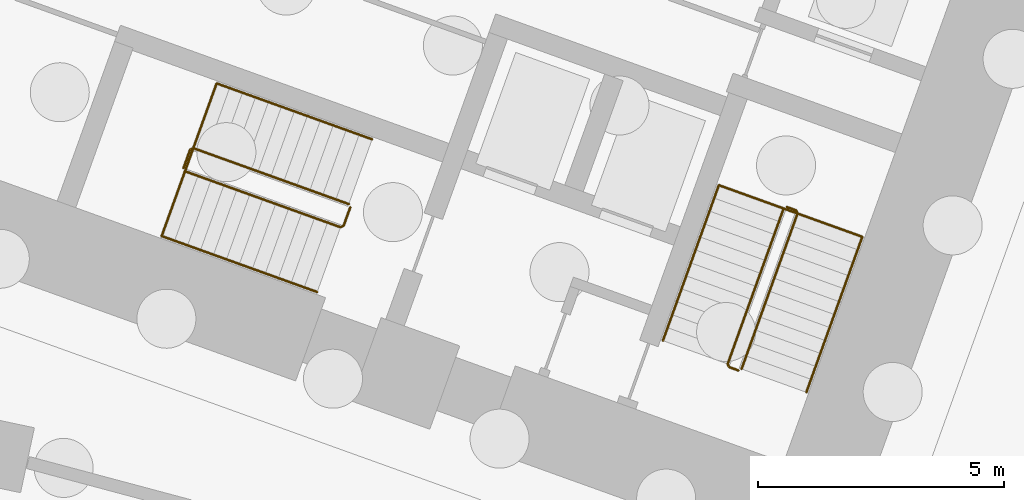
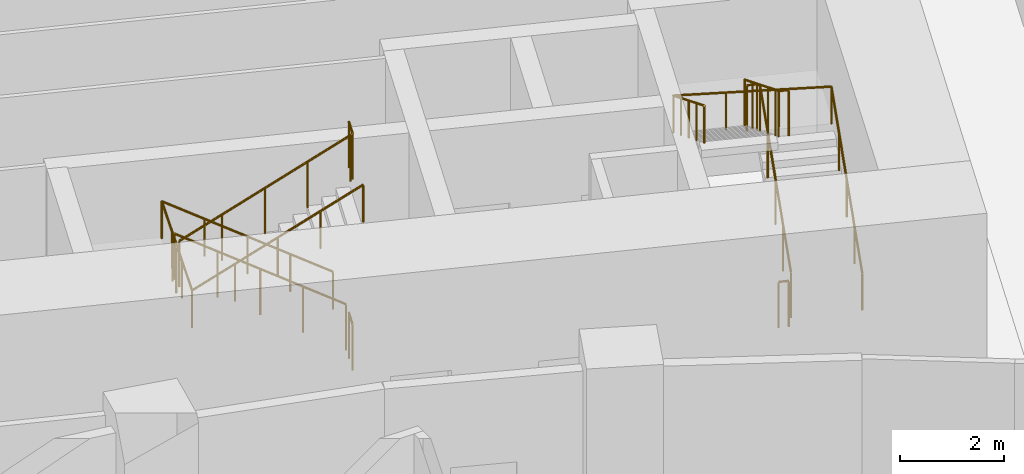
# One storey, part 24 of 25: 8 railings.
"""IFC4 building model written with IfcOpenShell, lengths in metres."""

from ifc_helpers import new_model, si_unit, direction, frame, origin, origin_2d, place, context, subcontext, project, spatial, circle, extrude, material, type_object, element, save


model = new_model("IFC4")

# Units and contexts
model_context = context("Model", 3, precision=1e-05, world=origin(), true_north=direction((0.0, 1.0)))
body_context = subcontext(model_context, "Body", "Model", "MODEL_VIEW")
ifc_project = project(units=[si_unit("LENGTHUNIT", "METRE"), si_unit("AREAUNIT", "SQUARE_METRE"), si_unit("VOLUMEUNIT", "CUBIC_METRE"), si_unit("PLANEANGLEUNIT", "RADIAN"), si_unit("MASSUNIT", "GRAM", prefix="KILO")], contexts=[model_context])

# Site, building, storey
site_placement = place(None, origin())
site = spatial("IfcSite", under=ifc_project, at=site_placement, CompositionType="ELEMENT")
building_placement = place(site_placement, origin())
building = spatial("IfcBuilding", under=site, at=building_placement, Name="Stone Belt Terrace Tower", CompositionType="ELEMENT")
storey_placement = place(building_placement, frame((0.0, 0.0, -13.5)))
storey = spatial("IfcBuildingStorey", under=building, at=storey_placement, Name="B3", CompositionType="ELEMENT", Elevation=-13.5)

# Railings
ifc_material = material(Name="Structural steel C345", Category="steel")
railing_type_1 = type_object("IfcRailingType", Name="Stair guard 1100", PredefinedType="GUARDRAIL", material=ifc_material)
railing_1_placement = place(storey_placement, frame((24.494140625, 45.174560546875, 0.173095703125)))
element("IfcRailing", 1, at=railing_1_placement, inside=storey, type_object=railing_type_1, Name="B3 ST1B stair guard 1", PredefinedType="GUARDRAIL", context=body_context, shape_type="SweptSolid", body=[
    extrude(circle(Radius=0.02392578125, at=origin_2d()), frame((0.0, 0.0, 1.076171875), z_axis=(0.288083704321, 0.800342391602, 0.525794480296), x_axis=(-0.940902231577, 0.338678299589, 0.0)), (0.0, 0.0, 1.0), 3.949951171875),
    extrude(circle(Radius=0.02392578125, at=origin_2d()), frame((1.137939453125, 3.161376953125, 3.15283203125), z_axis=(-0.427789722475, 0.903878284585, 0.0), x_axis=(-0.903878284585, -0.427789722475, 0.0)), (0.0, 0.0, 1.0), 0.07080078125),
    extrude(circle(Radius=0.02392578125, at=origin_2d()), frame((1.107666015625, 3.225341796875, 3.15283203125), z_axis=(-0.940575576748, 0.339584429008, 0.0), x_axis=(-0.339584429008, -0.940575576748, 0.0)), (0.0, 0.0, 1.0), 0.199951171875),
    extrude(circle(Radius=0.02099609375, at=origin_2d()), origin(), (0.0, 0.0, 1.0), 1.052001953125),
    extrude(circle(Radius=0.02099609375, at=origin_2d()), frame((0.284423828125, 0.790283203125, 0.519287109375)), (0.0, 0.0, 1.0), 1.052001953125),
    extrude(circle(Radius=0.02099609375, at=origin_2d()), frame((0.56884765625, 1.58056640625, 1.03857421875)), (0.0, 0.0, 1.0), 1.052001953125),
    extrude(circle(Radius=0.02099609375, at=origin_2d()), frame((0.853515625, 2.37109375, 1.5576171875)), (0.0, 0.0, 1.0), 1.052001953125),
    extrude(circle(Radius=0.02099609375, at=origin_2d()), frame((1.137939453125, 3.161376953125, 2.076904296875)), (0.0, 0.0, 1.0), 1.052001953125),
    extrude(circle(Radius=0.02099609375, at=origin_2d()), frame((1.107666015625, 3.225341796875, 2.076904296875)), (0.0, 0.0, 1.0), 1.052001953125),
    extrude(circle(Radius=0.02099609375, at=origin_2d()), frame((0.919677734375, 3.293212890625, 2.076904296875)), (0.0, 0.0, 1.0), 1.052001953125),
])
railing_2_placement = place(storey_placement, frame((25.349853515625, 48.4375, 2.423095703125)))
element("IfcRailing", 2, at=railing_2_placement, inside=storey, type_object=railing_type_1, Name="B3 ST1B stair guard 2", PredefinedType="GUARDRAIL", context=body_context, shape_type="SweptSolid", body=[
    extrude(circle(Radius=0.02392578125, at=origin_2d()), frame((0.0, 0.0, 1.076171875), z_axis=(-0.288083704321, -0.800342391602, 0.525794480296), x_axis=(0.940902231577, -0.338678299589, 0.0)), (0.0, 0.0, 1.0), 3.949951171875),
    extrude(circle(Radius=0.02392578125, at=origin_2d()), frame((-1.137939453125, -3.161376953125, 3.15283203125), z_axis=(0.427789722475, -0.903878284585, 0.0), x_axis=(0.903878284585, 0.427789722475, 0.0)), (0.0, 0.0, 1.0), 0.07080078125),
    extrude(circle(Radius=0.02392578125, at=origin_2d()), frame((-1.107666015625, -3.225341796875, 3.15283203125), z_axis=(0.940575576748, -0.339584429008, 0.0), x_axis=(0.339584429008, 0.940575576748, 0.0)), (0.0, 0.0, 1.0), 0.199951171875),
    extrude(circle(Radius=0.02099609375, at=origin_2d()), origin(), (0.0, 0.0, 1.0), 1.052001953125),
    extrude(circle(Radius=0.02099609375, at=origin_2d()), frame((-0.284423828125, -0.790283203125, 0.519287109375)), (0.0, 0.0, 1.0), 1.052001953125),
    extrude(circle(Radius=0.02099609375, at=origin_2d()), frame((-0.56884765625, -1.58056640625, 1.03857421875)), (0.0, 0.0, 1.0), 1.052001953125),
    extrude(circle(Radius=0.02099609375, at=origin_2d()), frame((-0.853515625, -2.37109375, 1.5576171875)), (0.0, 0.0, 1.0), 1.052001953125),
    extrude(circle(Radius=0.02099609375, at=origin_2d()), frame((-1.137939453125, -3.161376953125, 2.076904296875)), (0.0, 0.0, 1.0), 1.052001953125),
    extrude(circle(Radius=0.02099609375, at=origin_2d()), frame((-1.107666015625, -3.225341796875, 2.076904296875)), (0.0, 0.0, 1.0), 1.052001953125),
    extrude(circle(Radius=0.02099609375, at=origin_2d()), frame((-0.919677734375, -3.293212890625, 2.076904296875)), (0.0, 0.0, 1.0), 1.052001953125),
])
railing_3_placement = place(storey_placement, frame((24.43017578125, 45.144287109375, 0.0)))
element("IfcRailing", 3, at=railing_3_placement, inside=storey, type_object=railing_type_1, Name="B3 ST1B stair guard 3", PredefinedType="GUARDRAIL", context=body_context, shape_type="SweptSolid", body=[
    extrude(circle(Radius=0.02392578125, at=origin_2d()), frame((0.0, 0.0, 1.076171875), z_axis=(-0.940575576748, 0.339584429008, 0.0), x_axis=(-0.339584429008, -0.940575576748, 0.0)), (0.0, 0.0, 1.0), 0.199951171875),
    extrude(circle(Radius=0.02099609375, at=origin_2d()), origin(), (0.0, 0.0, 1.0), 1.052001953125),
    extrude(circle(Radius=0.02099609375, at=origin_2d()), frame((-0.18798828125, 0.06787109375, 0.0)), (0.0, 0.0, 1.0), 1.052001953125),
])
railing_4_placement = place(storey_placement, frame((16.507568359375, 48.527099609375, 0.173095703125)))
element("IfcRailing", 4, at=railing_4_placement, inside=storey, type_object=railing_type_1, Name="B3 ST2B stair guard 1", PredefinedType="GUARDRAIL", context=body_context, shape_type="SweptSolid", body=[
    extrude(circle(Radius=0.02392578125, at=origin_2d()), frame((0.0, 0.0, 1.076171875), z_axis=(-0.800356641085, 0.288027025056, 0.525803841664), x_axis=(-0.338613969627, -0.9409253847, 0.0)), (0.0, 0.0, 1.0), 3.949951171875),
    extrude(circle(Radius=0.02392578125, at=origin_2d()), frame((-3.161376953125, 1.1376953125, 3.15283203125), z_axis=(-0.905209821074, -0.424964916, 0.0), x_axis=(0.424964916, -0.905209821074, 0.0)), (0.0, 0.0, 1.0), 0.070556640625),
    extrude(circle(Radius=0.02392578125, at=origin_2d()), frame((-3.225341796875, 1.107666015625, 3.15283203125), z_axis=(-0.338654645739, -0.940910745459, 0.0), x_axis=(0.940910745459, -0.338654645739, 0.0)), (0.0, 0.0, 1.0), 0.400146484375),
    extrude(circle(Radius=0.02099609375, at=origin_2d()), origin(), (0.0, 0.0, 1.0), 1.052001953125),
    extrude(circle(Radius=0.02099609375, at=origin_2d()), frame((-0.790283203125, 0.284423828125, 0.519287109375)), (0.0, 0.0, 1.0), 1.052001953125),
    extrude(circle(Radius=0.02099609375, at=origin_2d()), frame((-1.58056640625, 0.56884765625, 1.03857421875)), (0.0, 0.0, 1.0), 1.052001953125),
    extrude(circle(Radius=0.02099609375, at=origin_2d()), frame((-2.37109375, 0.853271484375, 1.5576171875)), (0.0, 0.0, 1.0), 1.052001953125),
    extrude(circle(Radius=0.02099609375, at=origin_2d()), frame((-3.161376953125, 1.1376953125, 2.076904296875)), (0.0, 0.0, 1.0), 1.052001953125),
    extrude(circle(Radius=0.02099609375, at=origin_2d()), frame((-3.225341796875, 1.107666015625, 2.076904296875)), (0.0, 0.0, 1.0), 1.052001953125),
    extrude(circle(Radius=0.02099609375, at=origin_2d()), frame((-3.36083984375, 0.731201171875, 2.076904296875)), (0.0, 0.0, 1.0), 1.052001953125),
])
railing_5_placement = place(storey_placement, frame((13.1767578125, 49.1943359375, 2.423095703125)))
element("IfcRailing", 5, at=railing_5_placement, inside=storey, type_object=railing_type_1, Name="B3 ST2B stair guard 2", PredefinedType="GUARDRAIL", context=body_context, shape_type="SweptSolid", body=[
    extrude(circle(Radius=0.02392578125, at=origin_2d()), frame((0.0, 0.0, 1.076171875), z_axis=(0.800378855174, -0.288012777229, 0.525777831735), x_axis=(0.338590819614, 0.940933715451, 0.0)), (0.0, 0.0, 1.0), 3.9501953125),
    extrude(circle(Radius=0.02392578125, at=origin_2d()), frame((3.16162109375, -1.1376953125, 3.15283203125), z_axis=(0.905209821074, 0.424964916, 0.0), x_axis=(-0.424964916, 0.905209821074, 0.0)), (0.0, 0.0, 1.0), 0.070556640625),
    extrude(circle(Radius=0.02392578125, at=origin_2d()), frame((3.2255859375, -1.107666015625, 3.15283203125), z_axis=(0.338654645739, 0.940910745459, 0.0), x_axis=(-0.940910745459, 0.338654645739, 0.0)), (0.0, 0.0, 1.0), 0.400146484375),
    extrude(circle(Radius=0.02099609375, at=origin_2d()), origin(), (0.0, 0.0, 1.0), 1.052001953125),
    extrude(circle(Radius=0.02099609375, at=origin_2d()), frame((0.79052734375, -0.284423828125, 0.519287109375)), (0.0, 0.0, 1.0), 1.052001953125),
    extrude(circle(Radius=0.02099609375, at=origin_2d()), frame((1.580810546875, -0.56884765625, 1.03857421875)), (0.0, 0.0, 1.0), 1.052001953125),
    extrude(circle(Radius=0.02099609375, at=origin_2d()), frame((2.37109375, -0.853271484375, 1.5576171875)), (0.0, 0.0, 1.0), 1.052001953125),
    extrude(circle(Radius=0.02099609375, at=origin_2d()), frame((3.16162109375, -1.1376953125, 2.076904296875)), (0.0, 0.0, 1.0), 1.052001953125),
    extrude(circle(Radius=0.02099609375, at=origin_2d()), frame((3.2255859375, -1.107666015625, 2.076904296875)), (0.0, 0.0, 1.0), 1.052001953125),
    extrude(circle(Radius=0.02099609375, at=origin_2d()), frame((3.361083984375, -0.731201171875, 2.076904296875)), (0.0, 0.0, 1.0), 1.052001953125),
])
railing_6_placement = place(storey_placement, frame((16.537841796875, 48.463134765625, 0.0)))
element("IfcRailing", 6, at=railing_6_placement, inside=storey, type_object=railing_type_1, Name="B3 ST2B stair guard 3", PredefinedType="GUARDRAIL", context=body_context, shape_type="SweptSolid", body=[
    extrude(circle(Radius=0.02392578125, at=origin_2d()), frame((0.0, 0.0, 1.076171875), z_axis=(-0.338654645739, -0.940910745459, 0.0), x_axis=(0.940910745459, -0.338654645739, 0.0)), (0.0, 0.0, 1.0), 0.400146484375),
    extrude(circle(Radius=0.02099609375, at=origin_2d()), origin(), (0.0, 0.0, 1.0), 1.052001953125),
    extrude(circle(Radius=0.02099609375, at=origin_2d()), frame((-0.135498046875, -0.37646484375, 0.0)), (0.0, 0.0, 1.0), 1.052001953125),
])
railing_type_2 = type_object("IfcRailingType", Name="Stair handrail 900", PredefinedType="HANDRAIL", material=ifc_material)
railing_7_placement = place(storey_placement, frame((25.8115234375, 44.700439453125, 0.173095703125)))
element("IfcRailing", 7, at=railing_7_placement, inside=storey, type_object=railing_type_2, Name="B3 ST1B stair handrail 1", PredefinedType="HANDRAIL", context=body_context, shape_type="SweptSolid", body=[
    extrude(circle(Radius=0.02392578125, at=origin_2d()), frame((0.0, 0.0, 0.8759765625), z_axis=(0.288027025056, 0.800356641085, 0.525803841664), x_axis=(-0.9409253847, 0.338613969627, 0.0)), (0.0, 0.0, 1.0), 3.949951171875),
    extrude(circle(Radius=0.02392578125, at=origin_2d()), frame((1.1376953125, 3.161376953125, 2.95263671875), z_axis=(-0.9394470592, 0.338128597519, 0.055751901312), x_axis=(-0.338655323994, -0.940910501339, 0.0)), (0.0, 0.0, 1.0), 3.104736328125),
    extrude(circle(Radius=0.02392578125, at=origin_2d()), frame((-1.779052734375, 4.211181640625, 3.1259765625), z_axis=(-0.288027025056, -0.800356641085, 0.525803841664), x_axis=(0.9409253847, -0.338613969627, 0.0)), (0.0, 0.0, 1.0), 3.949951171875),
    extrude(circle(Radius=0.02099609375, at=origin_2d()), origin(), (0.0, 0.0, 1.0), 0.851806640625),
    extrude(circle(Radius=0.02099609375, at=origin_2d()), frame((0.284423828125, 0.790283203125, 0.519287109375)), (0.0, 0.0, 1.0), 0.851806640625),
    extrude(circle(Radius=0.02099609375, at=origin_2d()), frame((0.56884765625, 1.58056640625, 1.03857421875)), (0.0, 0.0, 1.0), 0.851806640625),
    extrude(circle(Radius=0.02099609375, at=origin_2d()), frame((0.853271484375, 2.37109375, 1.5576171875)), (0.0, 0.0, 1.0), 0.851806640625),
    extrude(circle(Radius=0.02099609375, at=origin_2d()), frame((1.1376953125, 3.161376953125, 2.076904296875)), (0.0, 0.0, 1.0), 0.851806640625),
    extrude(circle(Radius=0.02099609375, at=origin_2d()), frame((0.16552734375, 3.51123046875, 2.134521484375)), (0.0, 0.0, 1.0), 0.851806640625),
    extrude(circle(Radius=0.02099609375, at=origin_2d()), frame((-0.806884765625, 3.861328125, 2.1923828125)), (0.0, 0.0, 1.0), 0.851806640625),
    extrude(circle(Radius=0.02099609375, at=origin_2d()), frame((-1.779052734375, 4.211181640625, 2.25)), (0.0, 0.0, 1.0), 0.851806640625),
    extrude(circle(Radius=0.02099609375, at=origin_2d()), frame((-2.0634765625, 3.4208984375, 2.769287109375)), (0.0, 0.0, 1.0), 0.851806640625),
    extrude(circle(Radius=0.02099609375, at=origin_2d()), frame((-2.347900390625, 2.63037109375, 3.28857421875)), (0.0, 0.0, 1.0), 0.851806640625),
    extrude(circle(Radius=0.02099609375, at=origin_2d()), frame((-2.63232421875, 1.840087890625, 3.8076171875)), (0.0, 0.0, 1.0), 0.851806640625),
    extrude(circle(Radius=0.02099609375, at=origin_2d()), frame((-2.916748046875, 1.0498046875, 4.326904296875)), (0.0, 0.0, 1.0), 0.851806640625),
])
railing_8_placement = place(storey_placement, frame((16.981689453125, 49.84423828125, 0.173095703125)))
element("IfcRailing", 8, at=railing_8_placement, inside=storey, type_object=railing_type_2, Name="B3 ST2B stair handrail 1", PredefinedType="HANDRAIL", context=body_context, shape_type="SweptSolid", body=[
    extrude(circle(Radius=0.02392578125, at=origin_2d()), frame((0.0, 0.0, 0.8759765625), z_axis=(-0.800342391602, 0.288083704321, 0.525794480296), x_axis=(-0.338678299589, -0.940902231577, 0.0)), (0.0, 0.0, 1.0), 3.949951171875),
    extrude(circle(Radius=0.02392578125, at=origin_2d()), frame((-3.161376953125, 1.137939453125, 2.95263671875), z_axis=(-0.338134166301, -0.93963916565, 0.052378659364), x_axis=(0.940930785231, -0.338598962497, 0.0)), (0.0, 0.0, 1.0), 3.3046875),
    extrude(circle(Radius=0.02392578125, at=origin_2d()), frame((-4.27880859375, -1.96728515625, 3.1259765625), z_axis=(0.800356641085, -0.288027025056, 0.525803841664), x_axis=(0.338613969627, 0.9409253847, 0.0)), (0.0, 0.0, 1.0), 3.949951171875),
    extrude(circle(Radius=0.02099609375, at=origin_2d()), origin(), (0.0, 0.0, 1.0), 0.851806640625),
    extrude(circle(Radius=0.02099609375, at=origin_2d()), frame((-0.790283203125, 0.284423828125, 0.519287109375)), (0.0, 0.0, 1.0), 0.851806640625),
    extrude(circle(Radius=0.02099609375, at=origin_2d()), frame((-1.58056640625, 0.56884765625, 1.03857421875)), (0.0, 0.0, 1.0), 0.851806640625),
    extrude(circle(Radius=0.02099609375, at=origin_2d()), frame((-2.37109375, 0.853515625, 1.5576171875)), (0.0, 0.0, 1.0), 0.851806640625),
    extrude(circle(Radius=0.02099609375, at=origin_2d()), frame((-3.161376953125, 1.137939453125, 2.076904296875)), (0.0, 0.0, 1.0), 0.851806640625),
    extrude(circle(Radius=0.02099609375, at=origin_2d()), frame((-3.533935546875, 0.102783203125, 2.134521484375)), (0.0, 0.0, 1.0), 0.851806640625),
    extrude(circle(Radius=0.02099609375, at=origin_2d()), frame((-3.90625, -0.93212890625, 2.1923828125)), (0.0, 0.0, 1.0), 0.851806640625),
    extrude(circle(Radius=0.02099609375, at=origin_2d()), frame((-4.27880859375, -1.96728515625, 2.25)), (0.0, 0.0, 1.0), 0.851806640625),
    extrude(circle(Radius=0.02099609375, at=origin_2d()), frame((-3.488525390625, -2.251708984375, 2.769287109375)), (0.0, 0.0, 1.0), 0.851806640625),
    extrude(circle(Radius=0.02099609375, at=origin_2d()), frame((-2.6982421875, -2.5361328125, 3.28857421875)), (0.0, 0.0, 1.0), 0.851806640625),
    extrude(circle(Radius=0.02099609375, at=origin_2d()), frame((-1.90771484375, -2.820556640625, 3.8076171875)), (0.0, 0.0, 1.0), 0.851806640625),
    extrude(circle(Radius=0.02099609375, at=origin_2d()), frame((-1.117431640625, -3.10498046875, 4.326904296875)), (0.0, 0.0, 1.0), 0.851806640625),
])

save(model, "model.ifc")
